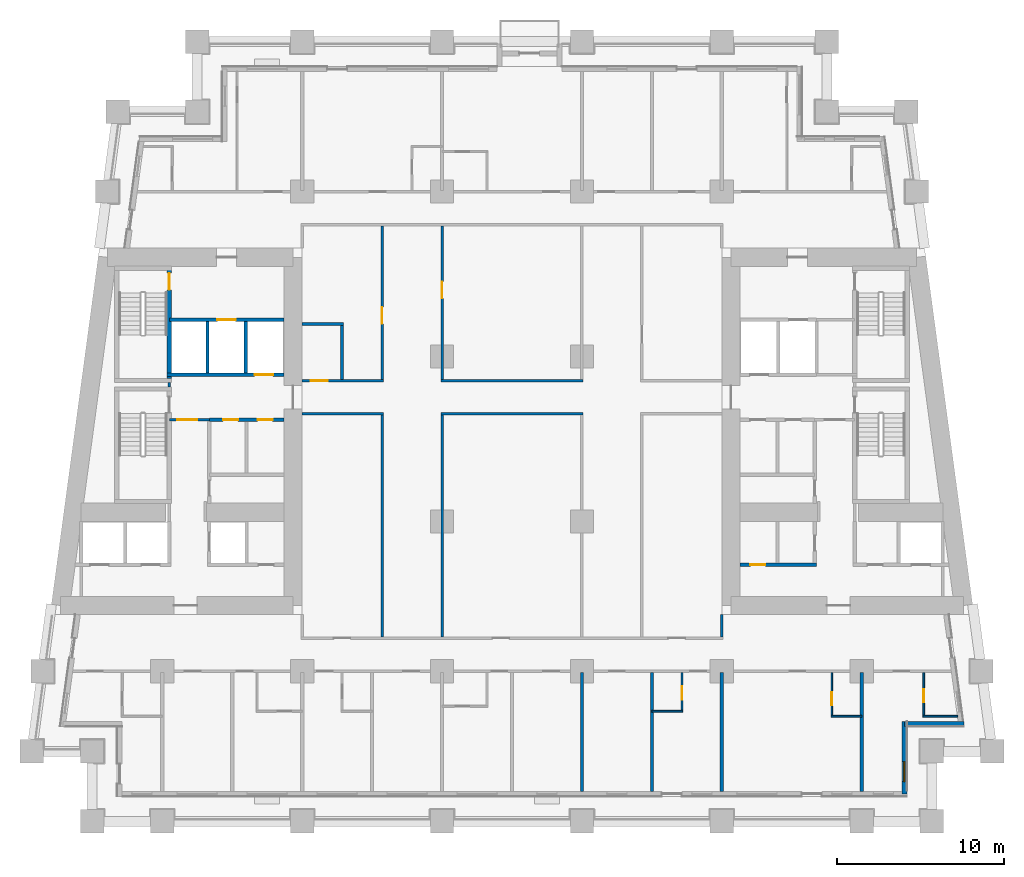
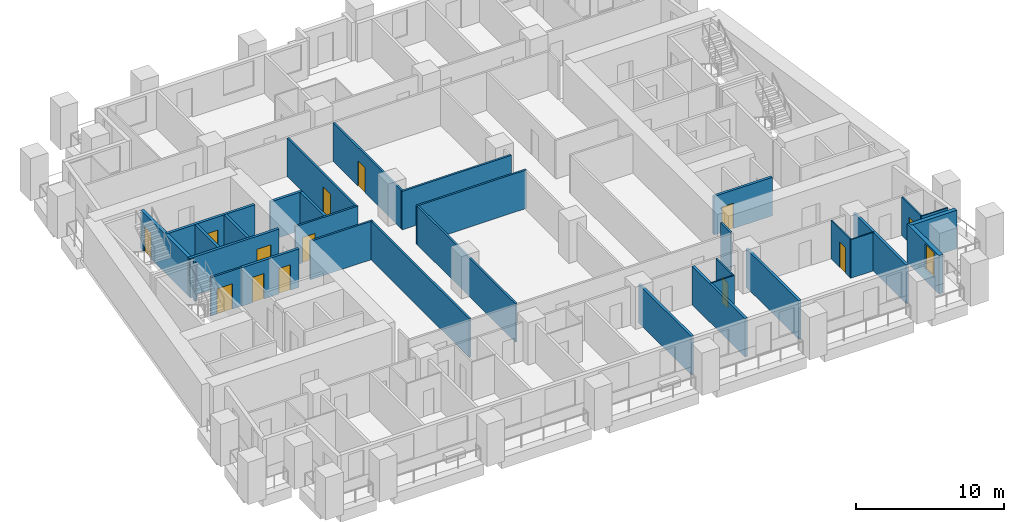
# One storey, part 4 of 12: 32 walls, 13 doors, 1 window, 14 openings.
"""IFC4 building model written with IfcOpenShell, lengths in metres."""

from ifc_helpers import new_model, si_unit, direction, frame, frame_2d, origin, place, context, subcontext, project, spatial, rectangle, extrude, material, layer, layer_set, type_object, element, fill, save


model = new_model("IFC4")

# Units and contexts
model_context = context("Model", 3, precision=1e-05, world=origin(), true_north=direction((0.0, 1.0)))
body_context = subcontext(model_context, "Body", "Model", "MODEL_VIEW")
ifc_project = project(units=[si_unit("LENGTHUNIT", "METRE"), si_unit("AREAUNIT", "SQUARE_METRE"), si_unit("VOLUMEUNIT", "CUBIC_METRE"), si_unit("PLANEANGLEUNIT", "RADIAN"), si_unit("MASSUNIT", "GRAM", prefix="KILO")], contexts=[model_context])

# Site, building, storey
site_placement = place(None, origin())
site = spatial("IfcSite", under=ifc_project, at=site_placement, CompositionType="ELEMENT")
building_placement = place(site_placement, origin())
building = spatial("IfcBuilding", under=site, at=building_placement, Name="Candeia Pilgrim Tower and Theatre", CompositionType="ELEMENT")
storey_placement = place(building_placement, frame((0.0, 0.0, 49.5)))
storey = spatial("IfcBuildingStorey", under=building, at=storey_placement, Name="L09", CompositionType="ELEMENT", Elevation=49.5)

# Wall, opening, window
ifc_material_1 = material(Name="Ceramic block masonry", Category="masonry")
ifc_layer_1 = layer(ifc_material_1, 0.300048828125)
ifc_layer_set_1 = layer_set([ifc_layer_1], Name="EW1 glazing-line wall 300")
wall_type_1 = type_object("IfcWallType", Name="EW1 glazing-line wall 300", PredefinedType="SOLIDWALL", material=ifc_layer_set_1)
wall_1_placement = place(storey_placement, frame((136.949951171875, 99.64990234375, 0.0), z_axis=(0.0, 0.0, 1.0), x_axis=(0.0, 1.0, 0.0)))
wall_1 = element("IfcWall", 1, at=wall_1_placement, inside=storey, type_object=wall_type_1, Name="External wall L09-1.0", PredefinedType="SOLIDWALL", context=body_context, shape_type="SweptSolid", body=[
    extrude(rectangle(XDim=4.35009765625, YDim=0.300048828125, at=frame_2d((2.175048828125, 0.0))), origin(), (0.0, 0.0, 1.0), 3.179931640625),
])
opening_1_placement = place(wall_1_placement, frame((0.72509765625, 0.0, 0.89990234375)))
opening_1 = element("IfcOpeningElement", 2, at=opening_1_placement, cuts=wall_1, Name="Opening W-B", PredefinedType="OPENING", context=body_context, shape_type="SweptSolid", body=[
    extrude(rectangle(XDim=1.199951171875, YDim=2.10009765625, at=frame_2d((0.60009765625, 1.050048828125))), frame((0.0, 0.16015625, 0.0), z_axis=(0.0, -1.0, 0.0), x_axis=(1.0, 0.0, 0.0)), (0.0, 0.0, 1.0), 0.320068359375),
])
ifc_material_2 = material(Name="Aluminium framed double glazing", Category="aluminium")
window_type = type_object("IfcWindowType", Name="W-B window 1200x2100", PartitioningType="SINGLE_PANEL", PredefinedType="WINDOW", material=ifc_material_2)
window_placement = place(opening_1_placement, origin())
window = element("IfcWindow", 3, at=window_placement, inside=storey, type_object=window_type, Name="Window W-B L09", OverallHeight=2.10009765625, OverallWidth=1.199951171875, PartitioningType="SINGLE_PANEL", PredefinedType="WINDOW", context=body_context, shape_type="SweptSolid", body=[
    extrude(rectangle(XDim=1.199951171875, YDim=2.10009765625, at=frame_2d((0.60009765625, 1.050048828125))), frame((0.0, 0.030029296875, 0.0), z_axis=(0.0, -1.0, 0.0), x_axis=(1.0, 0.0, 0.0)), (0.0, 0.0, 1.0), 0.06005859375),
])
fill(opening_1, window)

# Walls
wall_2_placement = place(storey_placement, frame((136.949951171875, 103.85009765625, 0.0), z_axis=(0.0, 0.0, 1.0), x_axis=(1.0, 0.0, 0.0)))
element("IfcWall", 4, at=wall_2_placement, inside=storey, type_object=wall_type_1, Name="External wall L09-2.0", PredefinedType="SOLIDWALL", context=body_context, shape_type="SweptSolid", body=[
    extrude(rectangle(XDim=3.569091796875, YDim=0.300048828125, at=frame_2d((1.78466796875, 0.0))), origin(), (0.0, 0.0, 1.0), 3.179931640625),
])
ifc_material_3 = material(Name="Gypsum board partition on steel studs", Category="steel")
ifc_layer_2 = layer(ifc_material_3, 0.10009765625)
ifc_layer_set_2 = layer_set([ifc_layer_2], Name="PW-100 room partition")
wall_type_2 = type_object("IfcWallType", Name="PW-100 room partition", PredefinedType="PARTITIONING", material=ifc_layer_set_2)
wall_3_placement = place(storey_placement, frame((132.550048828125, 104.300048828125, 0.0), z_axis=(0.0, 0.0, 1.0), x_axis=(1.0, 0.0, 0.0)))
element("IfcWall", 5, at=wall_3_placement, inside=storey, type_object=wall_type_2, Name="Room partition L09-002", PredefinedType="PARTITIONING", context=body_context, shape_type="SweptSolid", body=[
    extrude(rectangle(XDim=1.849853515625, YDim=0.10009765625, at=frame_2d((0.9248046875, 0.0))), origin(), (0.0, 0.0, 1.0), 3.179931640625),
])
wall_4_placement = place(storey_placement, frame((138.070068359375, 104.300048828125, 0.0), z_axis=(0.0, 0.0, 1.0), x_axis=(1.0, 0.0, 0.0)))
element("IfcWall", 6, at=wall_4_placement, inside=storey, type_object=wall_type_2, Name="Room partition L09-003", PredefinedType="PARTITIONING", context=body_context, shape_type="SweptSolid", body=[
    extrude(rectangle(XDim=2.07568359375, YDim=0.10009765625, at=frame_2d((1.037841796875, 0.0))), origin(), (0.0, 0.0, 1.0), 3.179931640625),
])
wall_5_placement = place(storey_placement, frame((121.800048828125, 104.60009765625, 0.0), z_axis=(0.0, 0.0, 1.0), x_axis=(1.0, 0.0, 0.0)))
element("IfcWall", 7, at=wall_5_placement, inside=storey, type_object=wall_type_2, Name="Room partition L09-006", PredefinedType="PARTITIONING", context=body_context, shape_type="SweptSolid", body=[
    extrude(rectangle(XDim=1.849853515625, YDim=0.10009765625, at=frame_2d((0.9248046875, 0.0))), origin(), (0.0, 0.0, 1.0), 3.179931640625),
])

# Wall, opening, door
wall_6_placement = place(storey_placement, frame((123.60009765625, 104.64990234375, 0.0), z_axis=(0.0, 0.0, 1.0), x_axis=(0.0, 1.0, 0.0)))
wall_6 = element("IfcWall", 8, at=wall_6_placement, inside=storey, type_object=wall_type_2, Name="Room partition L09-095", PredefinedType="PARTITIONING", context=body_context, shape_type="SweptSolid", body=[
    extrude(rectangle(XDim=2.275146484375, YDim=0.10009765625, at=frame_2d((1.1376953125, 0.0))), origin(), (0.0, 0.0, 1.0), 3.179931640625),
])
opening_2_placement = place(wall_6_placement, frame((0.659912109375, 0.0, 0.0)))
opening_2 = element("IfcOpeningElement", 9, at=opening_2_placement, cuts=wall_6, Name="Opening L09-D030", PredefinedType="OPENING", context=body_context, shape_type="SweptSolid", body=[
    extrude(rectangle(XDim=0.800048828125, YDim=2.10009765625, at=frame_2d((0.39990234375, 1.050048828125))), frame((0.0, 0.06005859375, 0.0), z_axis=(0.0, -1.0, 0.0), x_axis=(1.0, 0.0, 0.0)), (0.0, 0.0, 1.0), 0.1201171875),
])
ifc_material_4 = material(Name="Timber door leaf", Category="wood")
door_type_1 = type_object("IfcDoorType", Name="D-800", OperationType="NOTDEFINED", PredefinedType="DOOR", material=ifc_material_4)
door_1_placement = place(opening_2_placement, origin())
door_1 = element("IfcDoor", 10, at=door_1_placement, inside=storey, type_object=door_type_1, Name="Door L09-D030", OperationType="SINGLE_SWING_LEFT", OverallHeight=2.10009765625, OverallWidth=0.800048828125, PredefinedType="DOOR", context=body_context, shape_type="SweptSolid", body=[
    extrude(rectangle(XDim=0.800048828125, YDim=2.10009765625, at=frame_2d((0.39990234375, 1.050048828125))), frame((0.0, 0.02490234375, 0.0), z_axis=(0.0, -1.0, 0.0), x_axis=(1.0, 0.0, 0.0)), (0.0, 0.0, 1.0), 0.050048828125),
])
fill(opening_2, door_1)

wall_7_placement = place(storey_placement, frame((132.60009765625, 104.35009765625, 0.0), z_axis=(0.0, 0.0, 1.0), x_axis=(0.0, 1.0, 0.0)))
wall_7 = element("IfcWall", 11, at=wall_7_placement, inside=storey, type_object=wall_type_2, Name="Room partition L09-108", PredefinedType="PARTITIONING", context=body_context, shape_type="SweptSolid", body=[
    extrude(rectangle(XDim=2.574951171875, YDim=0.10009765625, at=frame_2d((1.28759765625, 0.0))), origin(), (0.0, 0.0, 1.0), 3.179931640625),
])
opening_3_placement = place(wall_7_placement, frame((0.60009765625, 0.0, 0.0)))
opening_3 = element("IfcOpeningElement", 12, at=opening_3_placement, cuts=wall_7, Name="Opening L09-D032", PredefinedType="OPENING", context=body_context, shape_type="SweptSolid", body=[
    extrude(rectangle(XDim=0.800048828125, YDim=2.10009765625, at=frame_2d((0.39990234375, 1.050048828125))), frame((0.0, 0.06005859375, 0.0), z_axis=(0.0, -1.0, 0.0), x_axis=(1.0, 0.0, 0.0)), (0.0, 0.0, 1.0), 0.1201171875),
])
door_2_placement = place(opening_3_placement, origin())
door_2 = element("IfcDoor", 13, at=door_2_placement, inside=storey, type_object=door_type_1, Name="Door L09-D032", OperationType="SINGLE_SWING_LEFT", OverallHeight=2.10009765625, OverallWidth=0.800048828125, PredefinedType="DOOR", context=body_context, shape_type="SweptSolid", body=[
    extrude(rectangle(XDim=0.800048828125, YDim=2.10009765625, at=frame_2d((0.39990234375, 1.050048828125))), frame((0.0, 0.02490234375, 0.0), z_axis=(0.0, -1.0, 0.0), x_axis=(1.0, 0.0, 0.0)), (0.0, 0.0, 1.0), 0.050048828125),
])
fill(opening_3, door_2)

wall_8_placement = place(storey_placement, frame((138.1201171875, 104.35009765625, 0.0), z_axis=(0.0, 0.0, 1.0), x_axis=(0.0, 1.0, 0.0)))
wall_8 = element("IfcWall", 14, at=wall_8_placement, inside=storey, type_object=wall_type_2, Name="Room partition L09-119", PredefinedType="PARTITIONING", context=body_context, shape_type="SweptSolid", body=[
    extrude(rectangle(XDim=2.574951171875, YDim=0.10009765625, at=frame_2d((1.28759765625, 0.0))), origin(), (0.0, 0.0, 1.0), 3.179931640625),
])
opening_4_placement = place(wall_8_placement, frame((0.780029296875, 0.0, 0.0)))
opening_4 = element("IfcOpeningElement", 15, at=opening_4_placement, cuts=wall_8, Name="Opening L09-D034", PredefinedType="OPENING", context=body_context, shape_type="SweptSolid", body=[
    extrude(rectangle(XDim=0.800048828125, YDim=2.10009765625, at=frame_2d((0.39990234375, 1.050048828125))), frame((0.0, 0.06005859375, 0.0), z_axis=(0.0, -1.0, 0.0), x_axis=(1.0, 0.0, 0.0)), (0.0, 0.0, 1.0), 0.1201171875),
])
door_3_placement = place(opening_4_placement, origin())
door_3 = element("IfcDoor", 16, at=door_3_placement, inside=storey, type_object=door_type_1, Name="Door L09-D034", OperationType="SINGLE_SWING_LEFT", OverallHeight=2.10009765625, OverallWidth=0.800048828125, PredefinedType="DOOR", context=body_context, shape_type="SweptSolid", body=[
    extrude(rectangle(XDim=0.800048828125, YDim=2.10009765625, at=frame_2d((0.39990234375, 1.050048828125))), frame((0.0, 0.02490234375, 0.0), z_axis=(0.0, -1.0, 0.0), x_axis=(1.0, 0.0, 0.0)), (0.0, 0.0, 1.0), 0.050048828125),
])
fill(opening_4, door_3)

ifc_layer_3 = layer(ifc_material_3, 0.14990234375)
ifc_layer_set_3 = layer_set([ifc_layer_3], Name="PW-150 lobby wall")
wall_type_3 = type_object("IfcWallType", Name="PW-150 lobby wall", PredefinedType="PARTITIONING", material=ifc_layer_set_3)
wall_9_placement = place(storey_placement, frame((92.826904296875, 122.10009765625, 0.0), z_axis=(0.0, 0.0, 1.0), x_axis=(1.0, 0.0, 0.0)))
wall_9 = element("IfcWall", 17, at=wall_9_placement, inside=storey, type_object=wall_type_3, Name="Lobby wall L09-020", PredefinedType="PARTITIONING", context=body_context, shape_type="SweptSolid", body=[
    extrude(rectangle(XDim=2.400146484375, YDim=0.14990234375, at=frame_2d((1.2001953125, 0.0))), origin(), (0.0, 0.0, 1.0), 3.179931640625),
])
opening_5_placement = place(wall_9_placement, frame((0.47509765625, 0.0, 0.0)))
opening_5 = element("IfcOpeningElement", 18, at=opening_5_placement, cuts=wall_9, Name="Opening L09-D001", PredefinedType="OPENING", context=body_context, shape_type="SweptSolid", body=[
    extrude(rectangle(XDim=1.199951171875, YDim=2.10009765625, at=frame_2d((0.60009765625, 1.050048828125))), frame((0.0, 0.0849609375, 0.0), z_axis=(0.0, -1.0, 0.0), x_axis=(1.0, 0.0, 0.0)), (0.0, 0.0, 1.0), 0.169921875),
])
ifc_material_5 = material(Name="Steel fire door set", Category="steel")
door_type_2 = type_object("IfcDoorType", Name="D-1200-FD60", OperationType="NOTDEFINED", PredefinedType="DOOR", material=ifc_material_5)
door_4_placement = place(opening_5_placement, origin())
door_4 = element("IfcDoor", 19, at=door_4_placement, inside=storey, type_object=door_type_2, Name="Door L09-D001", OperationType="SINGLE_SWING_RIGHT", OverallHeight=2.10009765625, OverallWidth=1.199951171875, PredefinedType="DOOR", context=body_context, shape_type="SweptSolid", body=[
    extrude(rectangle(XDim=1.199951171875, YDim=2.10009765625, at=frame_2d((0.60009765625, 1.050048828125))), frame((0.0, 0.02490234375, 0.0), z_axis=(0.0, -1.0, 0.0), x_axis=(1.0, 0.0, 0.0)), (0.0, 0.0, 1.0), 0.050048828125),
])
fill(opening_5, door_4)

# Walls
wall_10_placement = place(storey_placement, frame((92.826904296875, 124.074951171875, 0.0), z_axis=(0.0, 0.0, 1.0), x_axis=(0.0, 1.0, 0.0)))
element("IfcWall", 20, at=wall_10_placement, inside=storey, type_object=wall_type_3, Name="Lobby wall L09-056", PredefinedType="PARTITIONING", context=body_context, shape_type="SweptSolid", body=[
    extrude(rectangle(XDim=0.25, YDim=0.14990234375, at=frame_2d((0.125, 0.0))), origin(), (0.0, 0.0, 1.0), 3.179931640625),
])
ifc_layer_4 = layer(ifc_material_3, 0.14990234375)
ifc_layer_set_4 = layer_set([ifc_layer_4], Name="PW-150 unit wall")
wall_type_4 = type_object("IfcWallType", Name="PW-150 unit wall", PredefinedType="PARTITIONING", material=ifc_layer_set_4)
wall_11_placement = place(storey_placement, frame((100.800048828125, 122.449951171875, 0.0), z_axis=(0.0, 0.0, 1.0), x_axis=(1.0, 0.0, 0.0)))
element("IfcWall", 21, at=wall_11_placement, inside=storey, type_object=wall_type_4, Name="Unit wall L09-022", PredefinedType="PARTITIONING", context=body_context, shape_type="SweptSolid", body=[
    extrude(rectangle(XDim=4.875, YDim=0.14990234375, at=frame_2d((2.4375, 0.0))), origin(), (0.0, 0.0, 1.0), 3.179931640625),
])
wall_12_placement = place(storey_placement, frame((109.125, 122.449951171875, 0.0), z_axis=(0.0, 0.0, 1.0), x_axis=(1.0, 0.0, 0.0)))
element("IfcWall", 22, at=wall_12_placement, inside=storey, type_object=wall_type_4, Name="Unit wall L09-023", PredefinedType="PARTITIONING", context=body_context, shape_type="SweptSolid", body=[
    extrude(rectangle(XDim=8.550048828125, YDim=0.14990234375, at=frame_2d((4.27490234375, 0.0))), origin(), (0.0, 0.0, 1.0), 3.179931640625),
])

# Wall, opening, door
wall_13_placement = place(storey_placement, frame((100.800048828125, 124.449951171875, 0.0), z_axis=(0.0, 0.0, 1.0), x_axis=(1.0, 0.0, 0.0)))
wall_13 = element("IfcWall", 23, at=wall_13_placement, inside=storey, type_object=wall_type_4, Name="Unit wall L09-029", PredefinedType="PARTITIONING", context=body_context, shape_type="SweptSolid", body=[
    extrude(rectangle(XDim=4.875, YDim=0.14990234375, at=frame_2d((2.4375, 0.0))), origin(), (0.0, 0.0, 1.0), 3.179931640625),
])
opening_6_placement = place(wall_13_placement, frame((0.52490234375, 0.0, 0.0)))
opening_6 = element("IfcOpeningElement", 24, at=opening_6_placement, cuts=wall_13, Name="Opening L09-D051", PredefinedType="OPENING", context=body_context, shape_type="SweptSolid", body=[
    extrude(rectangle(XDim=1.0, YDim=2.10009765625, at=frame_2d((0.5, 1.050048828125))), frame((0.0, 0.0849609375, 0.0), z_axis=(0.0, -1.0, 0.0), x_axis=(1.0, 0.0, 0.0)), (0.0, 0.0, 1.0), 0.169921875),
])
door_type_3 = type_object("IfcDoorType", Name="D-1000-FD30S", OperationType="NOTDEFINED", PredefinedType="DOOR", material=ifc_material_5)
door_5_placement = place(opening_6_placement, origin())
door_5 = element("IfcDoor", 25, at=door_5_placement, inside=storey, type_object=door_type_3, Name="Door L09-D051", OperationType="SINGLE_SWING_RIGHT", OverallHeight=2.10009765625, OverallWidth=1.0, PredefinedType="DOOR", context=body_context, shape_type="SweptSolid", body=[
    extrude(rectangle(XDim=1.0, YDim=2.10009765625, at=frame_2d((0.5, 1.050048828125))), frame((0.0, 0.02490234375, 0.0), z_axis=(0.0, -1.0, 0.0), x_axis=(1.0, 0.0, 0.0)), (0.0, 0.0, 1.0), 0.050048828125),
])
fill(opening_6, door_5)

# Walls
wall_14_placement = place(storey_placement, frame((109.125, 124.449951171875, 0.0), z_axis=(0.0, 0.0, 1.0), x_axis=(1.0, 0.0, 0.0)))
element("IfcWall", 26, at=wall_14_placement, inside=storey, type_object=wall_type_4, Name="Unit wall L09-030", PredefinedType="PARTITIONING", context=body_context, shape_type="SweptSolid", body=[
    extrude(rectangle(XDim=8.550048828125, YDim=0.14990234375, at=frame_2d((4.27490234375, 0.0))), origin(), (0.0, 0.0, 1.0), 3.179931640625),
])
wall_15_placement = place(storey_placement, frame((105.60009765625, 109.074951171875, 0.0), z_axis=(0.0, 0.0, 1.0), x_axis=(0.0, 1.0, 0.0)))
element("IfcWall", 27, at=wall_15_placement, inside=storey, type_object=wall_type_4, Name="Unit wall L09-077", PredefinedType="PARTITIONING", context=body_context, shape_type="SweptSolid", body=[
    extrude(rectangle(XDim=13.300048828125, YDim=0.14990234375, at=frame_2d((6.64990234375, 0.0))), origin(), (0.0, 0.0, 1.0), 3.179931640625),
])

# Wall, opening, door
wall_16_placement = place(storey_placement, frame((105.60009765625, 124.52490234375, 0.0), z_axis=(0.0, 0.0, 1.0), x_axis=(0.0, 1.0, 0.0)))
wall_16 = element("IfcWall", 28, at=wall_16_placement, inside=storey, type_object=wall_type_4, Name="Unit wall L09-078", PredefinedType="PARTITIONING", context=body_context, shape_type="SweptSolid", body=[
    extrude(rectangle(XDim=9.2001953125, YDim=0.14990234375, at=frame_2d((4.60009765625, 0.0))), origin(), (0.0, 0.0, 1.0), 3.179931640625),
])
opening_7_placement = place(wall_16_placement, frame((3.3349609375, 0.0, 0.0)))
opening_7 = element("IfcOpeningElement", 29, at=opening_7_placement, cuts=wall_16, Name="Opening L09-D047", PredefinedType="OPENING", context=body_context, shape_type="SweptSolid", body=[
    extrude(rectangle(XDim=1.0, YDim=2.10009765625, at=frame_2d((0.5, 1.050048828125))), frame((0.0, 0.0849609375, 0.0), z_axis=(0.0, -1.0, 0.0), x_axis=(1.0, 0.0, 0.0)), (0.0, 0.0, 1.0), 0.169921875),
])
door_6_placement = place(opening_7_placement, origin())
door_6 = element("IfcDoor", 30, at=door_6_placement, inside=storey, type_object=door_type_3, Name="Door L09-D047", OperationType="SINGLE_SWING_RIGHT", OverallHeight=2.10009765625, OverallWidth=1.0, PredefinedType="DOOR", context=body_context, shape_type="SweptSolid", body=[
    extrude(rectangle(XDim=1.0, YDim=2.10009765625, at=frame_2d((0.5, 1.050048828125))), frame((0.0, 0.02490234375, 0.0), z_axis=(0.0, -1.0, 0.0), x_axis=(1.0, 0.0, 0.0)), (0.0, 0.0, 1.0), 0.050048828125),
])
fill(opening_7, door_6)

# Wall
wall_17_placement = place(storey_placement, frame((109.199951171875, 109.074951171875, 0.0), z_axis=(0.0, 0.0, 1.0), x_axis=(0.0, 1.0, 0.0)))
element("IfcWall", 31, at=wall_17_placement, inside=storey, type_object=wall_type_4, Name="Unit wall L09-082", PredefinedType="PARTITIONING", context=body_context, shape_type="SweptSolid", body=[
    extrude(rectangle(XDim=13.300048828125, YDim=0.14990234375, at=frame_2d((6.64990234375, 0.0))), origin(), (0.0, 0.0, 1.0), 3.179931640625),
])

# Wall, opening, door
wall_18_placement = place(storey_placement, frame((109.199951171875, 124.52490234375, 0.0), z_axis=(0.0, 0.0, 1.0), x_axis=(0.0, 1.0, 0.0)))
wall_18 = element("IfcWall", 32, at=wall_18_placement, inside=storey, type_object=wall_type_4, Name="Unit wall L09-083", PredefinedType="PARTITIONING", context=body_context, shape_type="SweptSolid", body=[
    extrude(rectangle(XDim=9.2001953125, YDim=0.14990234375, at=frame_2d((4.60009765625, 0.0))), origin(), (0.0, 0.0, 1.0), 3.179931640625),
])
opening_8_placement = place(wall_18_placement, frame((4.864990234375, 0.0, 0.0)))
opening_8 = element("IfcOpeningElement", 33, at=opening_8_placement, cuts=wall_18, Name="Opening L09-D052", PredefinedType="OPENING", context=body_context, shape_type="SweptSolid", body=[
    extrude(rectangle(XDim=1.0, YDim=2.10009765625, at=frame_2d((0.5, 1.050048828125))), frame((0.0, 0.0849609375, 0.0), z_axis=(0.0, -1.0, 0.0), x_axis=(1.0, 0.0, 0.0)), (0.0, 0.0, 1.0), 0.169921875),
])
door_7_placement = place(opening_8_placement, origin())
door_7 = element("IfcDoor", 34, at=door_7_placement, inside=storey, type_object=door_type_3, Name="Door L09-D052", OperationType="SINGLE_SWING_LEFT", OverallHeight=2.10009765625, OverallWidth=1.0, PredefinedType="DOOR", context=body_context, shape_type="SweptSolid", body=[
    extrude(rectangle(XDim=1.0, YDim=2.10009765625, at=frame_2d((0.5, 1.050048828125))), frame((0.0, 0.02490234375, 0.0), z_axis=(0.0, -1.0, 0.0), x_axis=(1.0, 0.0, 0.0)), (0.0, 0.0, 1.0), 0.050048828125),
])
fill(opening_8, door_7)

# Walls
wall_19_placement = place(storey_placement, frame((126.0, 109.074951171875, 0.0), z_axis=(0.0, 0.0, 1.0), x_axis=(0.0, 1.0, 0.0)))
element("IfcWall", 35, at=wall_19_placement, inside=storey, type_object=wall_type_4, Name="Unit wall L09-098", PredefinedType="PARTITIONING", context=body_context, shape_type="SweptSolid", body=[
    extrude(rectangle(XDim=1.324951171875, YDim=0.14990234375, at=frame_2d((0.66259765625, 0.0))), origin(), (0.0, 0.0, 1.0), 3.179931640625),
])
ifc_layer_5 = layer(ifc_material_3, 0.199951171875)
ifc_layer_set_5 = layer_set([ifc_layer_5], Name="PW-200 party wall")
wall_type_5 = type_object("IfcWallType", Name="PW-200 party wall", PredefinedType="PARTITIONING", material=ifc_layer_set_5)
wall_20_placement = place(storey_placement, frame((100.800048828125, 127.85009765625, 0.0), z_axis=(0.0, 0.0, 1.0), x_axis=(1.0, 0.0, 0.0)))
element("IfcWall", 36, at=wall_20_placement, inside=storey, type_object=wall_type_5, Name="Party wall L09-035", PredefinedType="PARTITIONING", context=body_context, shape_type="SweptSolid", body=[
    extrude(rectangle(XDim=2.5, YDim=0.199951171875, at=frame_2d((1.25, 0.0))), origin(), (0.0, 0.0, 1.0), 3.179931640625),
])
wall_21_placement = place(storey_placement, frame((103.199951171875, 124.52490234375, 0.0), z_axis=(0.0, 0.0, 1.0), x_axis=(0.0, 1.0, 0.0)))
element("IfcWall", 37, at=wall_21_placement, inside=storey, type_object=wall_type_5, Name="Party wall L09-075", PredefinedType="PARTITIONING", context=body_context, shape_type="SweptSolid", body=[
    extrude(rectangle(XDim=3.22509765625, YDim=0.199951171875, at=frame_2d((1.612548828125, 0.0))), origin(), (0.0, 0.0, 1.0), 3.179931640625),
])
for number, where, z_axis, x_axis, name in (
    (38, (117.60009765625, 99.7900390625, 0.0), (0.0, 0.0, 1.0), (0.0, 1.0, 0.0), "Party wall L09-087"),
    (39, (121.800048828125, 99.7900390625, 0.0), (0.0, 0.0, 1.0), (0.0, 1.0, 0.0), "Party wall L09-093"),
    (40, (126.0, 99.7900390625, 0.0), (0.0, 0.0, 1.0), (0.0, 1.0, 0.0), "Party wall L09-096"),
    (41, (134.39990234375, 99.7900390625, 0.0), (0.0, 0.0, 1.0), (0.0, 1.0, 0.0), "Party wall L09-115"),
):
    element("IfcWall", number, at=place(storey_placement, frame(where, z_axis=z_axis, x_axis=x_axis)), inside=storey, type_object=wall_type_5, Name=name, PredefinedType="PARTITIONING", context=body_context, shape_type="SweptSolid", body=[
        extrude(rectangle(XDim=7.135009765625, YDim=0.199951171875, at=frame_2d((3.5673828125, 0.0))), origin(), (0.0, 0.0, 1.0), 3.179931640625),
    ])

# Wall, opening, door
ifc_material_6 = material(Name="Concrete C40/50", Category="concrete")
ifc_layer_6 = layer(ifc_material_6, 0.199951171875)
ifc_layer_set_6 = layer_set([ifc_layer_6], Name="SW-200 shaft wall")
wall_type_6 = type_object("IfcWallType", Name="SW-200 shaft wall", PredefinedType="PARTITIONING", material=ifc_layer_set_6)
wall_22_placement = place(storey_placement, frame((127.10009765625, 113.39990234375, 0.0), z_axis=(0.0, 0.0, 1.0), x_axis=(1.0, 0.0, 0.0)))
wall_22 = element("IfcWall", 42, at=wall_22_placement, inside=storey, type_object=wall_type_6, Name="Shaft wall L09-012", PredefinedType="PARTITIONING", context=body_context, shape_type="SweptSolid", body=[
    extrude(rectangle(XDim=4.572998046875, YDim=0.199951171875, at=frame_2d((2.28662109375, 0.0))), origin(), (0.0, 0.0, 1.0), 3.179931640625),
])
opening_9_placement = place(wall_22_placement, frame((0.60498046875, 0.0, 0.0)))
opening_9 = element("IfcOpeningElement", 43, at=opening_9_placement, cuts=wall_22, Name="Opening L09-D016", PredefinedType="OPENING", context=body_context, shape_type="SweptSolid", body=[
    extrude(rectangle(XDim=0.89990234375, YDim=2.10009765625, at=frame_2d((0.449951171875, 1.050048828125))), frame((0.0, 0.10986328125, 0.0), z_axis=(0.0, -1.0, 0.0), x_axis=(1.0, 0.0, 0.0)), (0.0, 0.0, 1.0), 0.219970703125),
])
door_type_4 = type_object("IfcDoorType", Name="D-900-FD60", OperationType="NOTDEFINED", PredefinedType="DOOR", material=ifc_material_5)
door_8_placement = place(opening_9_placement, origin())
door_8 = element("IfcDoor", 44, at=door_8_placement, inside=storey, type_object=door_type_4, Name="Door L09-D016", OperationType="SINGLE_SWING_LEFT", OverallHeight=2.10009765625, OverallWidth=0.89990234375, PredefinedType="DOOR", context=body_context, shape_type="SweptSolid", body=[
    extrude(rectangle(XDim=0.89990234375, YDim=2.10009765625, at=frame_2d((0.449951171875, 1.050048828125))), frame((0.0, 0.02490234375, 0.0), z_axis=(0.0, -1.0, 0.0), x_axis=(1.0, 0.0, 0.0)), (0.0, 0.0, 1.0), 0.050048828125),
])
fill(opening_9, door_8)

# Wall, openings, doors
wall_23_placement = place(storey_placement, frame((95.22705078125, 122.10009765625, 0.0), z_axis=(0.0, 0.0, 1.0), x_axis=(1.0, 0.0, 0.0)))
wall_23 = element("IfcWall", 45, at=wall_23_placement, inside=storey, type_object=wall_type_6, Name="Shaft wall L09-018", PredefinedType="PARTITIONING", context=body_context, shape_type="SweptSolid", body=[
    extrude(rectangle(XDim=4.472900390625, YDim=0.199951171875, at=frame_2d((2.236328125, 0.0))), origin(), (0.0, 0.0, 1.0), 3.179931640625),
])
opening_10_placement = place(wall_23_placement, frame((0.826904296875, 0.0, 0.0)))
opening_10 = element("IfcOpeningElement", 46, at=opening_10_placement, cuts=wall_23, Name="Opening L09-D002", PredefinedType="OPENING", context=body_context, shape_type="SweptSolid", body=[
    extrude(rectangle(XDim=0.89990234375, YDim=2.10009765625, at=frame_2d((0.449951171875, 1.050048828125))), frame((0.0, 0.10986328125, 0.0), z_axis=(0.0, -1.0, 0.0), x_axis=(1.0, 0.0, 0.0)), (0.0, 0.0, 1.0), 0.219970703125),
])
opening_11_placement = place(wall_23_placement, frame((2.905029296875, 0.0, 0.0)))
opening_11 = element("IfcOpeningElement", 47, at=opening_11_placement, cuts=wall_23, Name="Opening L09-D003", PredefinedType="OPENING", context=body_context, shape_type="SweptSolid", body=[
    extrude(rectangle(XDim=0.89990234375, YDim=2.10009765625, at=frame_2d((0.449951171875, 1.050048828125))), frame((0.0, 0.10986328125, 0.0), z_axis=(0.0, -1.0, 0.0), x_axis=(1.0, 0.0, 0.0)), (0.0, 0.0, 1.0), 0.219970703125),
])
door_9_placement = place(opening_10_placement, origin())
door_9 = element("IfcDoor", 48, at=door_9_placement, inside=storey, type_object=door_type_4, Name="Door L09-D002", OperationType="SINGLE_SWING_LEFT", OverallHeight=2.10009765625, OverallWidth=0.89990234375, PredefinedType="DOOR", context=body_context, shape_type="SweptSolid", body=[
    extrude(rectangle(XDim=0.89990234375, YDim=2.10009765625, at=frame_2d((0.449951171875, 1.050048828125))), frame((0.0, 0.02490234375, 0.0), z_axis=(0.0, -1.0, 0.0), x_axis=(1.0, 0.0, 0.0)), (0.0, 0.0, 1.0), 0.050048828125),
])
fill(opening_10, door_9)
door_10_placement = place(opening_11_placement, origin())
door_10 = element("IfcDoor", 49, at=door_10_placement, inside=storey, type_object=door_type_4, Name="Door L09-D003", OperationType="SINGLE_SWING_RIGHT", OverallHeight=2.10009765625, OverallWidth=0.89990234375, PredefinedType="DOOR", context=body_context, shape_type="SweptSolid", body=[
    extrude(rectangle(XDim=0.89990234375, YDim=2.10009765625, at=frame_2d((0.449951171875, 1.050048828125))), frame((0.0, 0.02490234375, 0.0), z_axis=(0.0, -1.0, 0.0), x_axis=(1.0, 0.0, 0.0)), (0.0, 0.0, 1.0), 0.050048828125),
])
fill(opening_11, door_10)

# Wall, opening, door
wall_24_placement = place(storey_placement, frame((92.701904296875, 124.800048828125, 0.0), z_axis=(0.0, 0.0, 1.0), x_axis=(1.0, 0.0, 0.0)))
wall_24 = element("IfcWall", 50, at=wall_24_placement, inside=storey, type_object=wall_type_6, Name="Shaft wall L09-032", PredefinedType="PARTITIONING", context=body_context, shape_type="SweptSolid", body=[
    extrude(rectangle(XDim=6.998046875, YDim=0.199951171875, at=frame_2d((3.4990234375, 0.0))), origin(), (0.0, 0.0, 1.0), 3.179931640625),
])
opening_12_placement = place(wall_24_placement, frame((5.2529296875, 0.0, 0.0)))
opening_12 = element("IfcOpeningElement", 51, at=opening_12_placement, cuts=wall_24, Name="Opening L09-LD02", PredefinedType="OPENING", context=body_context, shape_type="SweptSolid", body=[
    extrude(rectangle(XDim=1.10009765625, YDim=2.10009765625, at=frame_2d((0.550048828125, 1.050048828125))), frame((0.0, 0.10986328125, 0.0), z_axis=(0.0, -1.0, 0.0), x_axis=(1.0, 0.0, 0.0)), (0.0, 0.0, 1.0), 0.219970703125),
])
ifc_material_7 = material(Name="Glazed aluminium landing door", Category="aluminium")
door_type_5 = type_object("IfcDoorType", Name="LD-1100-EI120", OperationType="SLIDING_TO_LEFT", PredefinedType="DOOR", material=ifc_material_7)
door_11_placement = place(opening_12_placement, origin())
door_11 = element("IfcDoor", 52, at=door_11_placement, inside=storey, type_object=door_type_5, Name="Landing door 02 L09", OperationType="SLIDING_TO_LEFT", OverallHeight=2.10009765625, OverallWidth=1.10009765625, PredefinedType="DOOR", context=body_context, shape_type="SweptSolid", body=[
    extrude(rectangle(XDim=1.10009765625, YDim=2.10009765625, at=frame_2d((0.550048828125, 1.050048828125))), frame((0.0, 0.02490234375, 0.0), z_axis=(0.0, -1.0, 0.0), x_axis=(1.0, 0.0, 0.0)), (0.0, 0.0, 1.0), 0.050048828125),
])
fill(opening_12, door_11)

wall_25_placement = place(storey_placement, frame((92.826904296875, 128.10009765625, 0.0), z_axis=(0.0, 0.0, 1.0), x_axis=(1.0, 0.0, 0.0)))
wall_25 = element("IfcWall", 53, at=wall_25_placement, inside=storey, type_object=wall_type_6, Name="Shaft wall L09-036", PredefinedType="PARTITIONING", context=body_context, shape_type="SweptSolid", body=[
    extrude(rectangle(XDim=6.873046875, YDim=0.199951171875, at=frame_2d((3.4365234375, 0.0))), origin(), (0.0, 0.0, 1.0), 3.179931640625),
])
opening_13_placement = place(wall_25_placement, frame((2.886962890625, 0.0, 0.0)))
opening_13 = element("IfcOpeningElement", 54, at=opening_13_placement, cuts=wall_25, Name="Opening L09-LD01", PredefinedType="OPENING", context=body_context, shape_type="SweptSolid", body=[
    extrude(rectangle(XDim=1.10009765625, YDim=2.10009765625, at=frame_2d((0.550048828125, 1.050048828125))), frame((0.0, 0.10986328125, 0.0), z_axis=(0.0, -1.0, 0.0), x_axis=(1.0, 0.0, 0.0)), (0.0, 0.0, 1.0), 0.219970703125),
])
door_12_placement = place(opening_13_placement, origin())
door_12 = element("IfcDoor", 55, at=door_12_placement, inside=storey, type_object=door_type_5, Name="Landing door 01 L09", OperationType="SLIDING_TO_LEFT", OverallHeight=2.10009765625, OverallWidth=1.10009765625, PredefinedType="DOOR", context=body_context, shape_type="SweptSolid", body=[
    extrude(rectangle(XDim=1.10009765625, YDim=2.10009765625, at=frame_2d((0.550048828125, 1.050048828125))), frame((0.0, 0.02490234375, 0.0), z_axis=(0.0, -1.0, 0.0), x_axis=(1.0, 0.0, 0.0)), (0.0, 0.0, 1.0), 0.050048828125),
])
fill(opening_13, door_12)

# Walls
for number, where, z_axis, x_axis, name in (
    (56, (95.117919921875, 124.89990234375, 0.0), (0.0, 0.0, 1.0), (0.0, 1.0, 0.0), "Shaft wall L09-061"),
    (57, (97.408935546875, 124.89990234375, 0.0), (0.0, 0.0, 1.0), (0.0, 1.0, 0.0), "Shaft wall L09-066"),
):
    element("IfcWall", number, at=place(storey_placement, frame(where, z_axis=z_axis, x_axis=x_axis)), inside=storey, type_object=wall_type_6, Name=name, PredefinedType="PARTITIONING", context=body_context, shape_type="SweptSolid", body=[
        extrude(rectangle(XDim=3.10009765625, YDim=0.199951171875, at=frame_2d((1.550048828125, 0.0))), origin(), (0.0, 0.0, 1.0), 3.179931640625),
    ])

# Wall, opening, door
ifc_layer_7 = layer(ifc_material_6, 0.25)
ifc_layer_set_7 = layer_set([ifc_layer_7], Name="SW-250 stair wall")
wall_type_7 = type_object("IfcWallType", Name="SW-250 stair wall", PredefinedType="PARTITIONING", material=ifc_layer_set_7)
wall_26_placement = place(storey_placement, frame((92.826904296875, 124.574951171875, 0.0), z_axis=(0.0, 0.0, 1.0), x_axis=(0.0, 1.0, 0.0)))
wall_26 = element("IfcWall", 58, at=wall_26_placement, inside=storey, type_object=wall_type_7, Name="Stair wall L09-058", PredefinedType="PARTITIONING", context=body_context, shape_type="SweptSolid", body=[
    extrude(rectangle(XDim=6.755126953125, YDim=0.25, at=frame_2d((3.37744140625, 0.0))), origin(), (0.0, 0.0, 1.0), 3.179931640625),
])
opening_14_placement = place(wall_26_placement, frame((5.324951171875, 0.0, 0.0)))
opening_14 = element("IfcOpeningElement", 59, at=opening_14_placement, cuts=wall_26, Name="Opening L09-D005", PredefinedType="OPENING", context=body_context, shape_type="SweptSolid", body=[
    extrude(rectangle(XDim=1.0, YDim=2.10009765625, at=frame_2d((0.5, 1.050048828125))), frame((0.0, 0.135009765625, 0.0), z_axis=(0.0, -1.0, 0.0), x_axis=(1.0, 0.0, 0.0)), (0.0, 0.0, 1.0), 0.27001953125),
])
door_type_6 = type_object("IfcDoorType", Name="D-1000-FD60", OperationType="NOTDEFINED", PredefinedType="DOOR", material=ifc_material_5)
door_13_placement = place(opening_14_placement, origin())
door_13 = element("IfcDoor", 60, at=door_13_placement, inside=storey, type_object=door_type_6, Name="Door L09-D005", OperationType="SINGLE_SWING_RIGHT", OverallHeight=2.10009765625, OverallWidth=1.0, PredefinedType="DOOR", context=body_context, shape_type="SweptSolid", body=[
    extrude(rectangle(XDim=1.0, YDim=2.10009765625, at=frame_2d((0.5, 1.050048828125))), frame((0.0, 0.02490234375, 0.0), z_axis=(0.0, -1.0, 0.0), x_axis=(1.0, 0.0, 0.0)), (0.0, 0.0, 1.0), 0.050048828125),
])
fill(opening_14, door_13)

save(model, "model.ifc")
